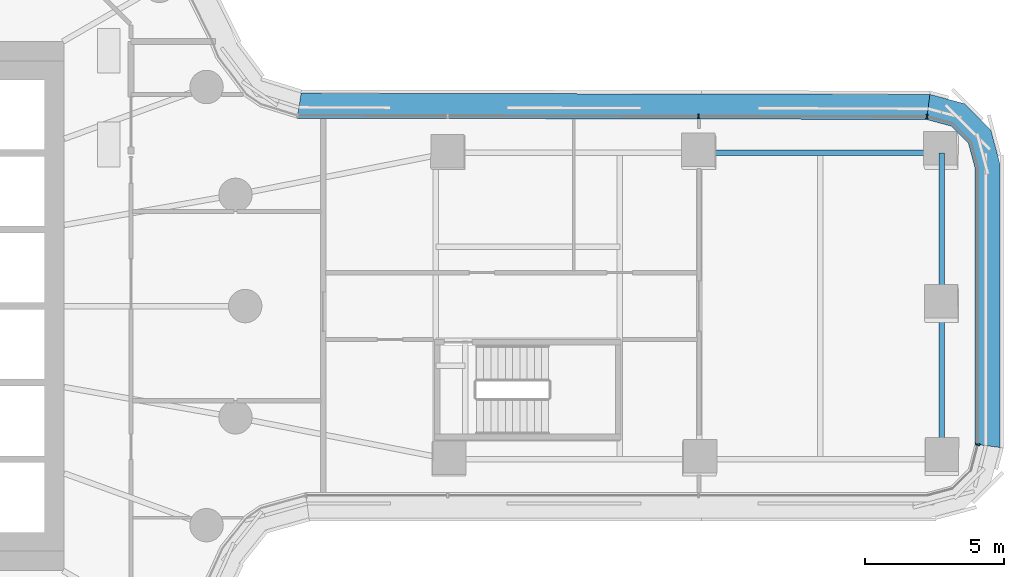
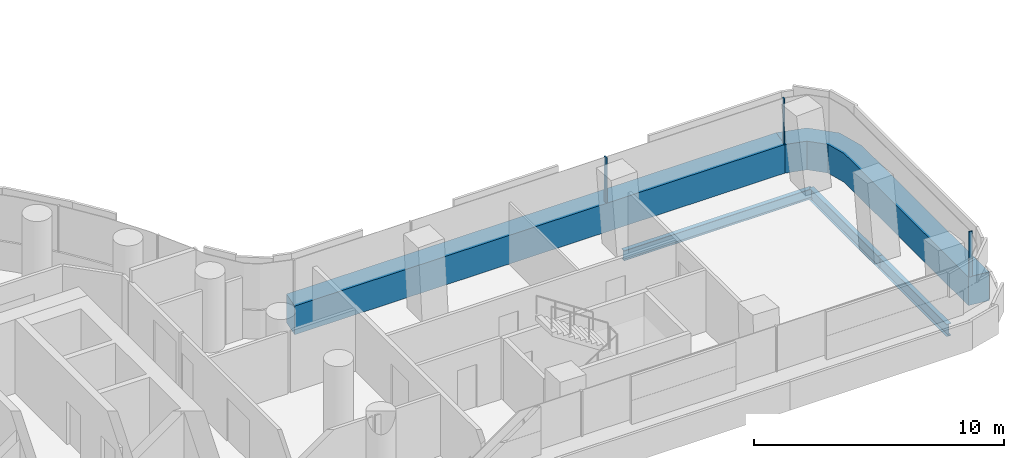
# One storey, part 12 of 32: 5 members, 3 beams, 2 elements without a shape of their own.
"""IFC4 building model written with IfcOpenShell, lengths in metres."""

from ifc_helpers import new_model, si_unit, direction, frame, origin, origin_2d, place, context, subcontext, project, spatial, polyline, rectangle, i_section, outline, extrude, material, layer, layer_set, material_profile, profile_set, type_object, element, aggregate, save


model = new_model("IFC4")

# Units and contexts
model_context = context("Model", 3, precision=1e-05, world=origin(), true_north=direction((0.0, 1.0)))
body_context = subcontext(model_context, "Body", "Model", "MODEL_VIEW")
ifc_project = project(units=[si_unit("LENGTHUNIT", "METRE"), si_unit("AREAUNIT", "SQUARE_METRE"), si_unit("VOLUMEUNIT", "CUBIC_METRE"), si_unit("PLANEANGLEUNIT", "RADIAN"), si_unit("MASSUNIT", "GRAM", prefix="KILO")], contexts=[model_context])

# Site, building, storey
site_placement = place(None, origin())
site = spatial("IfcSite", under=ifc_project, at=site_placement, CompositionType="ELEMENT")
building_placement = place(site_placement, origin())
building = spatial("IfcBuilding", under=site, at=building_placement, Name="Tamarind Cross Interchange Tower", CompositionType="ELEMENT")
storey_placement = place(building_placement, frame((0.0, 0.0, 34.0)))
storey = spatial("IfcBuildingStorey", under=building, at=storey_placement, Name="L06", CompositionType="ELEMENT", Elevation=34.0)

# Beams
ifc_material_1 = material(Name="Steel Q355B", Category="steel")
ifc_material_profile_1 = material_profile(ifc_material_1, i_section(OverallWidth=0.198974609375, OverallDepth=0.49609375, WebThickness=0.009033203125, FlangeThickness=0.013916015625, FilletRadius=0.012939453125, at=origin_2d()), Name="HN 496x199x9x14")
ifc_profile_set_1 = profile_set([ifc_material_profile_1], Name="Steel Q355B")
beam_type_1 = type_object("IfcBeamType", Name="Composite beam HN 496x199x9x14 Q355B", PredefinedType="BEAM", material=ifc_profile_set_1)
beam_placement = place(storey_placement, frame((48.007568359375, 5.5, -0.387939453125), z_axis=(-1.0, 0.0, 0.0), x_axis=(0.0, -1.0, 0.0)))
element("IfcBeam", 1, at=beam_placement, inside=storey, type_object=beam_type_1, Name="Beam E-edgeep2", PredefinedType="BEAM", context=body_context, shape_type="SweptSolid", body=[
    extrude(i_section(OverallWidth=0.198974609375, OverallDepth=0.49609375, WebThickness=0.009033203125, FlangeThickness=0.013916015625, FilletRadius=0.012939453125, at=origin_2d()), origin(), (0.0, 0.0, 1.0), 8.70751953125),
])
ifc_material_profile_2 = material_profile(ifc_material_1, i_section(OverallWidth=0.199951171875, OverallDepth=0.60009765625, WebThickness=0.010986328125, FlangeThickness=0.01708984375, FilletRadius=0.012939453125, at=origin_2d()), Name="HN 600x200x11x17")
ifc_profile_set_2 = profile_set([ifc_material_profile_2], Name="Steel Q355B")
beam_type_2 = type_object("IfcBeamType", Name="Composite beam HN 600x200x11x17 Q355B", PredefinedType="BEAM", material=ifc_profile_set_2)
for number, where, z_axis, x_axis, name in (
    (2, (48.007568359375, -5.5, -0.43994140625), (0.0, 1.0, 0.0), (-1.0, 0.0, 0.0), "Beam E-tip0"),
    (3, (48.007568359375, 0.0, -0.43994140625), (0.0, 1.0, 0.0), (-1.0, 0.0, 0.0), "Beam E-tip1"),
):
    element("IfcBeam", number, at=place(storey_placement, frame(where, z_axis=z_axis, x_axis=x_axis)), inside=storey, type_object=beam_type_2, Name=name, PredefinedType="BEAM", context=body_context, shape_type="SweptSolid", body=[
        extrude(i_section(OverallWidth=0.199951171875, OverallDepth=0.60009765625, WebThickness=0.010986328125, FlangeThickness=0.01708984375, FilletRadius=0.012939453125, at=origin_2d()), origin(), (0.0, 0.0, 1.0), 5.5),
    ])

# Curtain wall, member
ifc_material_2 = material(Name="Aluminium 6063-T6", Category="aluminium")
ifc_layer = layer(ifc_material_2, 0.159912109375)
ifc_layer_set = layer_set([ifc_layer], Name="Aluminium 6063-T6")
curtain_wall_type = type_object("IfcCurtainWallType", Name="Office curtain wall, 9.0 m bays", PredefinedType="NOTDEFINED", material=ifc_layer_set)
curtain_wall_1_placement = place(storey_placement, origin())
curtain_wall_1 = element("IfcCurtainWall", 4, at=curtain_wall_1_placement, inside=storey, type_object=curtain_wall_type, Name="CWS-L06-09", PredefinedType="NOTDEFINED")
ifc_material_3 = material(Name="Aluminium and insulated spandrel panel", Category="aluminium")
member_type_1 = type_object("IfcMemberType", Name="Floor-edge blade transom", PredefinedType="USERDEFINED", material=ifc_material_3)
member_1_placement = place(storey_placement, origin())
member_1 = element("IfcMember", 5, at=member_1_placement, type_object=member_type_1, Name="CWT-L06-09", ObjectType="TRANSOM", PredefinedType="USERDEFINED", context=body_context, shape_type="SweptSolid", body=[
    extrude(outline(polyline([(49.20751953125, -4.96044921875), (49.20751953125, 4.96044921875), (48.970703125, 5.8447265625), (48.352294921875, 6.463134765625), (47.4677734375, 6.7001953125), (47.587158203125, 7.599853515625), (48.818115234375, 7.27001953125), (49.777587890625, 6.310546875), (50.107666015625, 5.0791015625), (50.107666015625, -5.0791015625), (49.20751953125, -4.96044921875)])), origin(), (0.0, 0.0, 1.0), 1.39990234375),
])

curtain_wall_2_placement = place(storey_placement, origin())
curtain_wall_2 = element("IfcCurtainWall", 6, at=curtain_wall_2_placement, inside=storey, type_object=curtain_wall_type, Name="CWS-L06-10", PredefinedType="NOTDEFINED")
member_2_placement = place(storey_placement, origin())
member_2 = element("IfcMember", 7, at=member_2_placement, type_object=member_type_1, Name="CWT-L06-10", ObjectType="TRANSOM", PredefinedType="USERDEFINED", context=body_context, shape_type="SweptSolid", body=[
    extrude(outline(polyline([(47.4677734375, 6.7001953125), (24.86962890625, 6.744384765625), (25.00634765625, 7.64404296875), (47.587158203125, 7.599853515625), (47.4677734375, 6.7001953125)])), origin(), (0.0, 0.0, 1.0), 1.39990234375),
])

# Member
ifc_material_profile_3 = material_profile(ifc_material_2, rectangle(XDim=0.06005859375, YDim=0.159912109375, at=origin_2d()), Name="Mullion CW1")
ifc_profile_set_3 = profile_set([ifc_material_profile_3], Name="Aluminium 6063-T6")
member_type_2 = type_object("IfcMemberType", Name="Mullion CW1", PredefinedType="MULLION", material=ifc_profile_set_3)
member_3_placement = place(storey_placement, frame((49.3076171875, -4.9736328125, 1.39990234375), z_axis=(0.0, 0.0, 1.0), x_axis=(0.13052619222, 0.991444861374, 0.0)))
member_3 = element("IfcMember", 8, at=member_3_placement, type_object=member_type_2, Name="CWM-L06-09-00", PredefinedType="MULLION", context=body_context, shape_type="SweptSolid", body=[
    extrude(rectangle(XDim=0.06005859375, YDim=0.159912109375, at=origin_2d()), origin(), (0.0, 0.0, 1.0), 2.210205078125),
])

aggregate(curtain_wall_1, [member_3, member_1])

member_4_placement = place(storey_placement, frame((47.48095703125, 6.800048828125, 1.39990234375), z_axis=(0.0, 0.0, 1.0), x_axis=(-0.991316352815, 0.13149862601, 0.0)))
member_4 = element("IfcMember", 9, at=member_4_placement, type_object=member_type_2, Name="CWM-L06-10-00", PredefinedType="MULLION", context=body_context, shape_type="SweptSolid", body=[
    extrude(rectangle(XDim=0.06005859375, YDim=0.159912109375, at=origin_2d()), origin(), (0.0, 0.0, 1.0), 2.210205078125),
])

member_5_placement = place(storey_placement, frame((39.27197265625, 6.816162109375, 1.39990234375), z_axis=(0.0, 0.0, 1.0), x_axis=(-0.999998075717, 0.00196177549, 0.0)))
member_5 = element("IfcMember", 10, at=member_5_placement, type_object=member_type_2, Name="CWM-L06-10-01", PredefinedType="MULLION", context=body_context, shape_type="SweptSolid", body=[
    extrude(rectangle(XDim=0.06005859375, YDim=0.159912109375, at=origin_2d()), origin(), (0.0, 0.0, 1.0), 2.210205078125),
])

aggregate(curtain_wall_2, [member_4, member_5, member_2])

save(model, "model.ifc")
